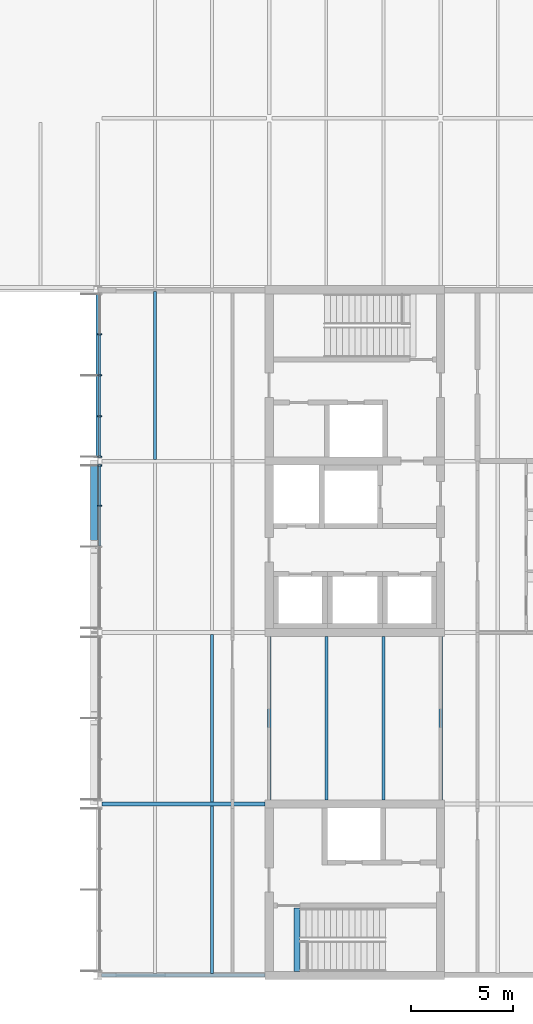
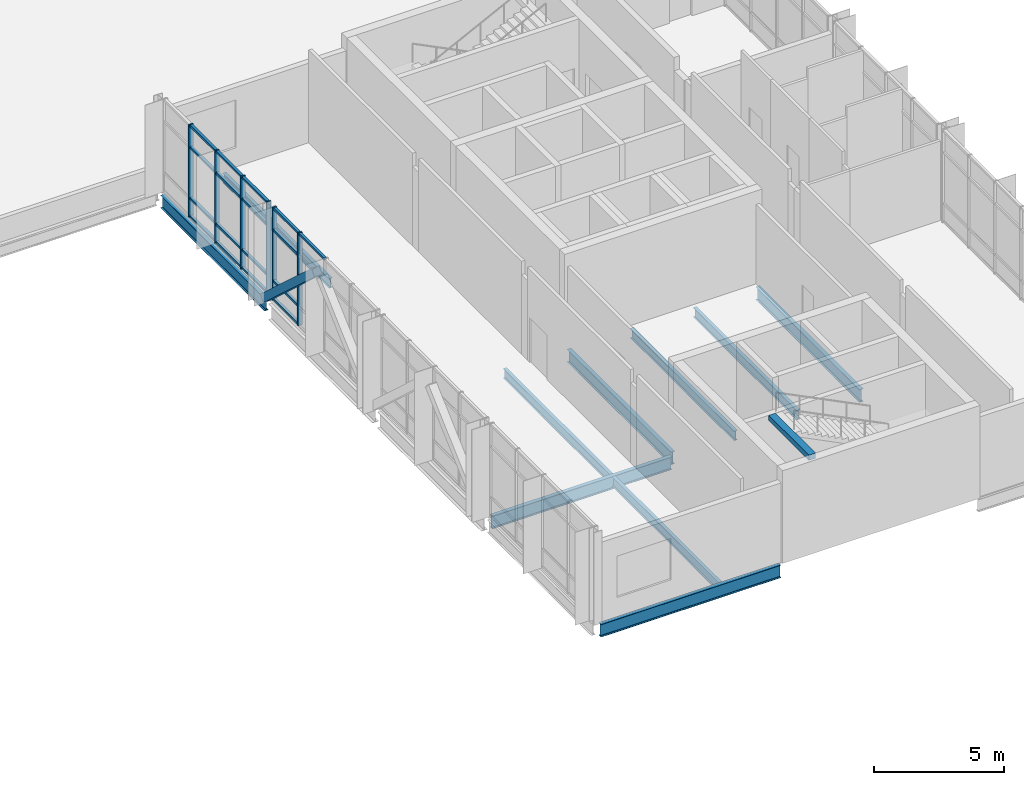
# One storey, part 6 of 26: 24 members, 11 beams, 2 elements without a shape of their own.
"""IFC4 building model written with IfcOpenShell, lengths in metres."""

from ifc_helpers import new_model, si_unit, direction, frame, origin, origin_2d, place, context, subcontext, project, spatial, rectangle, hollow_rectangle, i_section, extrude, material, material_profile, profile_set, type_object, element, aggregate, save


model = new_model("IFC4")

# Units and contexts
model_context = context("Model", 3, precision=1e-05, world=origin(), true_north=direction((0.0, 1.0)))
body_context = subcontext(model_context, "Body", "Model", "MODEL_VIEW")
ifc_project = project(units=[si_unit("LENGTHUNIT", "METRE"), si_unit("AREAUNIT", "SQUARE_METRE"), si_unit("VOLUMEUNIT", "CUBIC_METRE"), si_unit("PLANEANGLEUNIT", "RADIAN"), si_unit("MASSUNIT", "GRAM", prefix="KILO")], contexts=[model_context])

# Site, building, storey
site_placement = place(None, origin())
site = spatial("IfcSite", under=ifc_project, at=site_placement, CompositionType="ELEMENT")
building_placement = place(site_placement, origin())
building = spatial("IfcBuilding", under=site, at=building_placement, Name="Hlaing Beacon Police Headquarters", CompositionType="ELEMENT")
storey_placement = place(building_placement, frame((0.0, 0.0, 23.39990234375)))
storey = spatial("IfcBuildingStorey", under=building, at=storey_placement, Name="L05", CompositionType="ELEMENT", Elevation=23.39990234375)

# Member
ifc_material_1 = material(Name="Steel ASTM A500 Grade C", Category="steel")
ifc_material_profile_1 = material_profile(ifc_material_1, hollow_rectangle(XDim=0.355712890625, YDim=0.355712890625, WallThickness=0.0126953125, at=origin_2d()), Name="HSS14x14x1/2")
ifc_profile_set_1 = profile_set([ifc_material_profile_1], Name="Steel ASTM A500 Grade C")
member_type_1 = type_object("IfcMemberType", Name="Chevron brace HSS14x14x1/2", PredefinedType="BRACE", material=ifc_profile_set_1)
member_1_placement = place(storey_placement, frame((100.6181640625, 58.72900390625, 0.131103515625), z_axis=(0.0, -0.73795116487, 0.674854116286), x_axis=(1.0, 0.0, 0.0)))
element("IfcMember", 1, at=member_1_placement, inside=storey, type_object=member_type_1, Name="STR-BR-L05-N7b", PredefinedType="BRACE", context=body_context, shape_type="SweptSolid", body=[
    extrude(hollow_rectangle(XDim=0.355712890625, YDim=0.355712890625, WallThickness=0.0126953125, at=origin_2d()), origin(), (0.0, 0.0, 1.0), 5.32421875),
])

# Beams
ifc_material_2 = material(Name="Steel ASTM A992 Grade 50", Category="steel")
ifc_material_profile_2 = material_profile(ifc_material_2, i_section(OverallWidth=0.177978515625, OverallDepth=0.599365234375, WebThickness=0.010009765625, FlangeThickness=0.012939453125, FilletRadius=0.012939453125, at=origin_2d()), Name="W24x55")
ifc_profile_set_2 = profile_set([ifc_material_profile_2], Name="Steel ASTM A992 Grade 50")
beam_type_1 = type_object("IfcBeamType", Name="Girder W24x55", PredefinedType="BEAM", material=ifc_profile_set_2)
beam_1_placement = place(storey_placement, frame((100.987060546875, 33.60009765625, -0.4296875), z_axis=(1.0, 0.0, 0.0), x_axis=(0.0, 1.0, 0.0)))
element("IfcBeam", 2, at=beam_1_placement, inside=storey, type_object=beam_type_1, Name="STR-BM-L05-GX-N5-P5", PredefinedType="BEAM", context=body_context, shape_type="SweptSolid", body=[
    extrude(i_section(OverallWidth=0.177978515625, OverallDepth=0.599365234375, WebThickness=0.010009765625, FlangeThickness=0.012939453125, FilletRadius=0.012939453125, at=origin_2d()), origin(), (0.0, 0.0, 1.0), 8.012939453125),
])
beam_2_placement = place(storey_placement, frame((100.9970703125, 42.0, -0.4296875), z_axis=(1.0, 0.0, 0.0), x_axis=(0.0, 1.0, 0.0)))
element("IfcBeam", 3, at=beam_2_placement, inside=storey, type_object=beam_type_1, Name="STR-BM-L05-GX-N6-P6", PredefinedType="BEAM", context=body_context, shape_type="SweptSolid", body=[
    extrude(i_section(OverallWidth=0.177978515625, OverallDepth=0.599365234375, WebThickness=0.010009765625, FlangeThickness=0.012939453125, FilletRadius=0.012939453125, at=origin_2d()), origin(), (0.0, 0.0, 1.0), 8.0029296875),
])
beam_3_placement = place(storey_placement, frame((100.800048828125, 58.988037109375, -0.4296875), z_axis=(0.0, 1.0, 0.0), x_axis=(-1.0, 0.0, 0.0)))
element("IfcBeam", 4, at=beam_3_placement, inside=storey, type_object=beam_type_1, Name="STR-BM-L05-GY-N8-N9", PredefinedType="BEAM", context=body_context, shape_type="SweptSolid", body=[
    extrude(i_section(OverallWidth=0.177978515625, OverallDepth=0.599365234375, WebThickness=0.010009765625, FlangeThickness=0.012939453125, FilletRadius=0.012939453125, at=origin_2d()), origin(), (0.0, 0.0, 1.0), 8.028076171875),
])
for number, where, z_axis, x_axis, name in (
    (5, (109.199951171875, 42.199951171875, -0.4296875), (0.0, 1.0, 0.0), (-1.0, 0.0, 0.0), "STR-BM-L05-GY-P6-P7"),
    (6, (117.60009765625, 42.199951171875, -0.4296875), (0.0, 1.0, 0.0), (-1.0, 0.0, 0.0), "STR-BM-L05-GY-Q6-Q7"),
):
    element("IfcBeam", number, at=place(storey_placement, frame(where, z_axis=z_axis, x_axis=x_axis)), inside=storey, type_object=beam_type_1, Name=name, PredefinedType="BEAM", context=body_context, shape_type="SweptSolid", body=[
        extrude(i_section(OverallWidth=0.177978515625, OverallDepth=0.599365234375, WebThickness=0.010009765625, FlangeThickness=0.012939453125, FilletRadius=0.012939453125, at=origin_2d()), origin(), (0.0, 0.0, 1.0), 8.0),
    ])

# Curtain wall, members
ifc_material_3 = material(Name="Aluminium frame with solar control glazing", Category="aluminium")
curtain_wall_type = type_object("IfcCurtainWallType", Name="Unitised curtain wall 8.03 x 4.37", PredefinedType="NOTDEFINED", material=ifc_material_3)
curtain_wall_1_placement = place(storey_placement, origin())
curtain_wall_1 = element("IfcCurtainWall", 7, at=curtain_wall_1_placement, inside=storey, type_object=curtain_wall_type, Name="ENV-CW-L05-W005", PredefinedType="NOTDEFINED")
ifc_material_4 = material(Name="Aluminium", Category="aluminium")
ifc_material_profile_3 = material_profile(ifc_material_4, rectangle(XDim=0.199951171875, YDim=0.06005859375, at=origin_2d()), Name="Mullion 60x200")
ifc_profile_set_3 = profile_set([ifc_material_profile_3], Name="Aluminium")
member_type_2 = type_object("IfcMemberType", Name="Mullion 60x200", PredefinedType="MULLION", material=ifc_profile_set_3)
member_2_placement = place(storey_placement, frame((100.89990234375, 65.010498046875, 0.0), z_axis=(0.0, 0.0, 1.0), x_axis=(1.0, 0.0, 0.0)))
member_2 = element("IfcMember", 8, at=member_2_placement, type_object=member_type_2, Name="CW-L05-W005 mullion 2", PredefinedType="MULLION", context=body_context, shape_type="SweptSolid", body=[
    extrude(rectangle(XDim=0.199951171875, YDim=0.06005859375, at=origin_2d()), origin(), (0.0, 0.0, 1.0), 4.3701171875),
])
member_3_placement = place(storey_placement, frame((100.89990234375, 63.00244140625, 0.0), z_axis=(0.0, 0.0, 1.0), x_axis=(1.0, 0.0, 0.0)))
member_3 = element("IfcMember", 9, at=member_3_placement, type_object=member_type_2, Name="CW-L05-W005 mullion 3", PredefinedType="MULLION", context=body_context, shape_type="SweptSolid", body=[
    extrude(rectangle(XDim=0.199951171875, YDim=0.06005859375, at=origin_2d()), origin(), (0.0, 0.0, 1.0), 4.3701171875),
])
member_4_placement = place(storey_placement, frame((100.89990234375, 60.99462890625, 0.0), z_axis=(0.0, 0.0, 1.0), x_axis=(1.0, 0.0, 0.0)))
member_4 = element("IfcMember", 10, at=member_4_placement, type_object=member_type_2, Name="CW-L05-W005 mullion 4", PredefinedType="MULLION", context=body_context, shape_type="SweptSolid", body=[
    extrude(rectangle(XDim=0.199951171875, YDim=0.06005859375, at=origin_2d()), origin(), (0.0, 0.0, 1.0), 4.3701171875),
])
member_5_placement = place(storey_placement, frame((100.89990234375, 59.0166015625, 0.0), z_axis=(0.0, 0.0, 1.0), x_axis=(1.0, 0.0, 0.0)))
member_5 = element("IfcMember", 11, at=member_5_placement, type_object=member_type_2, Name="CW-L05-W005 mullion 5", PredefinedType="MULLION", context=body_context, shape_type="SweptSolid", body=[
    extrude(rectangle(XDim=0.199951171875, YDim=0.06005859375, at=origin_2d()), origin(), (0.0, 0.0, 1.0), 4.3701171875),
])

curtain_wall_2_placement = place(storey_placement, origin())
curtain_wall_2 = element("IfcCurtainWall", 12, at=curtain_wall_2_placement, inside=storey, type_object=curtain_wall_type, Name="ENV-CW-L05-W006", PredefinedType="NOTDEFINED")
member_6_placement = place(storey_placement, frame((100.89990234375, 58.583251953125, 0.0), z_axis=(0.0, 0.0, 1.0), x_axis=(1.0, 0.0, 0.0)))
member_6 = element("IfcMember", 13, at=member_6_placement, type_object=member_type_2, Name="CW-L05-W006 mullion 1", PredefinedType="MULLION", context=body_context, shape_type="SweptSolid", body=[
    extrude(rectangle(XDim=0.199951171875, YDim=0.06005859375, at=origin_2d()), origin(), (0.0, 0.0, 1.0), 4.3701171875),
])
member_7_placement = place(storey_placement, frame((100.89990234375, 56.606689453125, 0.0), z_axis=(0.0, 0.0, 1.0), x_axis=(1.0, 0.0, 0.0)))
member_7 = element("IfcMember", 14, at=member_7_placement, type_object=member_type_2, Name="CW-L05-W006 mullion 2", PredefinedType="MULLION", context=body_context, shape_type="SweptSolid", body=[
    extrude(rectangle(XDim=0.199951171875, YDim=0.06005859375, at=origin_2d()), origin(), (0.0, 0.0, 1.0), 4.3701171875),
])

# Beams
ifc_material_5 = material(Name="Steel ASTM A992 Grade 50", Category="steel")
ifc_material_profile_4 = material_profile(ifc_material_5, i_section(OverallWidth=0.15234375, OverallDepth=0.449462890625, WebThickness=0.007568359375, FlangeThickness=0.0107421875, FilletRadius=0.01025390625, at=origin_2d()), Name="W18x35")
ifc_profile_set_4 = profile_set([ifc_material_profile_4], Name="Steel ASTM A992 Grade 50")
beam_type_2 = type_object("IfcBeamType", Name="Secondary beam W18x35", PredefinedType="BEAM", material=ifc_profile_set_4)
for number, where, z_axis, x_axis, name in (
    (15, (106.39990234375, 33.68896484375, -0.354736328125), (0.0, 1.0, 0.0), (-1.0, 0.0, 0.0), "STR-BM-L05-SB-N5-y2"),
    (16, (106.39990234375, 42.089111328125, -0.354736328125), (0.0, 1.0, 0.0), (-1.0, 0.0, 0.0), "STR-BM-L05-SB-N6-y2"),
):
    element("IfcBeam", number, at=place(storey_placement, frame(where, z_axis=z_axis, x_axis=x_axis)), inside=storey, type_object=beam_type_2, Name=name, PredefinedType="BEAM", context=body_context, shape_type="SweptSolid", body=[
        extrude(i_section(OverallWidth=0.15234375, OverallDepth=0.449462890625, WebThickness=0.007568359375, FlangeThickness=0.0107421875, FilletRadius=0.01025390625, at=origin_2d()), origin(), (0.0, 0.0, 1.0), 8.221923828125),
    ])
beam_4_placement = place(storey_placement, frame((103.60009765625, 58.888916015625, -0.354736328125), z_axis=(0.0, 1.0, 0.0), x_axis=(-1.0, 0.0, 0.0)))
element("IfcBeam", 17, at=beam_4_placement, inside=storey, type_object=beam_type_2, Name="STR-BM-L05-SB-N8-y1", PredefinedType="BEAM", context=body_context, shape_type="SweptSolid", body=[
    extrude(i_section(OverallWidth=0.15234375, OverallDepth=0.449462890625, WebThickness=0.007568359375, FlangeThickness=0.0107421875, FilletRadius=0.01025390625, at=origin_2d()), origin(), (0.0, 0.0, 1.0), 8.22216796875),
])
for number, where, z_axis, x_axis, name in (
    (18, (112.0, 42.199951171875, -0.354736328125), (0.0, 1.0, 0.0), (-1.0, 0.0, 0.0), "STR-BM-L05-SB-P6-y1"),
    (19, (114.800048828125, 42.199951171875, -0.354736328125), (0.0, 1.0, 0.0), (-1.0, 0.0, 0.0), "STR-BM-L05-SB-P6-y2"),
):
    element("IfcBeam", number, at=place(storey_placement, frame(where, z_axis=z_axis, x_axis=x_axis)), inside=storey, type_object=beam_type_2, Name=name, PredefinedType="BEAM", context=body_context, shape_type="SweptSolid", body=[
        extrude(i_section(OverallWidth=0.15234375, OverallDepth=0.449462890625, WebThickness=0.007568359375, FlangeThickness=0.0107421875, FilletRadius=0.01025390625, at=origin_2d()), origin(), (0.0, 0.0, 1.0), 8.0),
    ])
ifc_material_6 = material(Name="Concrete C40/50", Category="concrete")
ifc_material_profile_5 = material_profile(ifc_material_6, rectangle(XDim=0.300048828125, YDim=0.25, at=origin_2d()), Name="Stair arrival beam 300x250")
ifc_profile_set_5 = profile_set([ifc_material_profile_5], Name="Concrete C40/50")
beam_type_3 = type_object("IfcBeamType", Name="Stair arrival beam 300x250", PredefinedType="BEAM", material=ifc_profile_set_5)
beam_5_placement = place(storey_placement, frame((110.56005859375, 33.800048828125, 4.2451171875), z_axis=(0.0, 1.0, 0.0), x_axis=(-1.0, 0.0, 0.0)))
element("IfcBeam", 20, at=beam_5_placement, inside=storey, type_object=beam_type_3, Name="Stair arrival beam ST-L", PredefinedType="BEAM", context=body_context, shape_type="SweptSolid", body=[
    extrude(rectangle(XDim=0.300048828125, YDim=0.25, at=origin_2d()), origin(), (0.0, 0.0, 1.0), 3.099853515625),
])

# Member
ifc_material_7 = material(Name="Aluminium", Category="aluminium")
ifc_material_profile_6 = material_profile(ifc_material_7, rectangle(XDim=0.1201171875, YDim=0.10009765625, at=origin_2d()), Name="Transom 120x100")
ifc_profile_set_6 = profile_set([ifc_material_profile_6], Name="Aluminium")
member_type_3 = type_object("IfcMemberType", Name="Transom 120x100", PredefinedType="USERDEFINED", material=ifc_profile_set_6)
member_8_placement = place(storey_placement, frame((100.89990234375, 64.98046875, 0.050048828125), z_axis=(0.0, -1.0, 0.0), x_axis=(1.0, 0.0, 0.0)))
member_8 = element("IfcMember", 21, at=member_8_placement, type_object=member_type_3, Name="CW-L05-W005 transom 2.1", ObjectType="TRANSOM", PredefinedType="USERDEFINED", context=body_context, shape_type="SweptSolid", body=[
    extrude(rectangle(XDim=0.1201171875, YDim=0.10009765625, at=origin_2d()), origin(), (0.0, 0.0, 1.0), 1.947998046875),
])

member_9_placement = place(storey_placement, frame((100.89990234375, 64.98046875, 0.900146484375), z_axis=(0.0, -1.0, 0.0), x_axis=(1.0, 0.0, 0.0)))
member_9 = element("IfcMember", 22, at=member_9_placement, type_object=member_type_3, Name="CW-L05-W005 transom 2.2", ObjectType="TRANSOM", PredefinedType="USERDEFINED", context=body_context, shape_type="SweptSolid", body=[
    extrude(rectangle(XDim=0.1201171875, YDim=0.10009765625, at=origin_2d()), origin(), (0.0, 0.0, 1.0), 1.947998046875),
])

member_10_placement = place(storey_placement, frame((100.89990234375, 64.98046875, 3.300048828125), z_axis=(0.0, -1.0, 0.0), x_axis=(1.0, 0.0, 0.0)))
member_10 = element("IfcMember", 23, at=member_10_placement, type_object=member_type_3, Name="CW-L05-W005 transom 2.3", ObjectType="TRANSOM", PredefinedType="USERDEFINED", context=body_context, shape_type="SweptSolid", body=[
    extrude(rectangle(XDim=0.1201171875, YDim=0.10009765625, at=origin_2d()), origin(), (0.0, 0.0, 1.0), 1.947998046875),
])

member_11_placement = place(storey_placement, frame((100.89990234375, 64.98046875, 4.320068359375), z_axis=(0.0, -1.0, 0.0), x_axis=(1.0, 0.0, 0.0)))
member_11 = element("IfcMember", 24, at=member_11_placement, type_object=member_type_3, Name="CW-L05-W005 transom 2.4", ObjectType="TRANSOM", PredefinedType="USERDEFINED", context=body_context, shape_type="SweptSolid", body=[
    extrude(rectangle(XDim=0.1201171875, YDim=0.10009765625, at=origin_2d()), origin(), (0.0, 0.0, 1.0), 1.947998046875),
])

member_12_placement = place(storey_placement, frame((100.89990234375, 62.97265625, 0.050048828125), z_axis=(0.0, -1.0, 0.0), x_axis=(1.0, 0.0, 0.0)))
member_12 = element("IfcMember", 25, at=member_12_placement, type_object=member_type_3, Name="CW-L05-W005 transom 3.1", ObjectType="TRANSOM", PredefinedType="USERDEFINED", context=body_context, shape_type="SweptSolid", body=[
    extrude(rectangle(XDim=0.1201171875, YDim=0.10009765625, at=origin_2d()), origin(), (0.0, 0.0, 1.0), 1.947998046875),
])

member_13_placement = place(storey_placement, frame((100.89990234375, 62.97265625, 0.900146484375), z_axis=(0.0, -1.0, 0.0), x_axis=(1.0, 0.0, 0.0)))
member_13 = element("IfcMember", 26, at=member_13_placement, type_object=member_type_3, Name="CW-L05-W005 transom 3.2", ObjectType="TRANSOM", PredefinedType="USERDEFINED", context=body_context, shape_type="SweptSolid", body=[
    extrude(rectangle(XDim=0.1201171875, YDim=0.10009765625, at=origin_2d()), origin(), (0.0, 0.0, 1.0), 1.947998046875),
])

member_14_placement = place(storey_placement, frame((100.89990234375, 62.97265625, 3.300048828125), z_axis=(0.0, -1.0, 0.0), x_axis=(1.0, 0.0, 0.0)))
member_14 = element("IfcMember", 27, at=member_14_placement, type_object=member_type_3, Name="CW-L05-W005 transom 3.3", ObjectType="TRANSOM", PredefinedType="USERDEFINED", context=body_context, shape_type="SweptSolid", body=[
    extrude(rectangle(XDim=0.1201171875, YDim=0.10009765625, at=origin_2d()), origin(), (0.0, 0.0, 1.0), 1.947998046875),
])

member_15_placement = place(storey_placement, frame((100.89990234375, 62.97265625, 4.320068359375), z_axis=(0.0, -1.0, 0.0), x_axis=(1.0, 0.0, 0.0)))
member_15 = element("IfcMember", 28, at=member_15_placement, type_object=member_type_3, Name="CW-L05-W005 transom 3.4", ObjectType="TRANSOM", PredefinedType="USERDEFINED", context=body_context, shape_type="SweptSolid", body=[
    extrude(rectangle(XDim=0.1201171875, YDim=0.10009765625, at=origin_2d()), origin(), (0.0, 0.0, 1.0), 1.947998046875),
])

member_16_placement = place(storey_placement, frame((100.89990234375, 60.964599609375, 0.050048828125), z_axis=(0.0, -1.0, 0.0), x_axis=(1.0, 0.0, 0.0)))
member_16 = element("IfcMember", 29, at=member_16_placement, type_object=member_type_3, Name="CW-L05-W005 transom 4.1", ObjectType="TRANSOM", PredefinedType="USERDEFINED", context=body_context, shape_type="SweptSolid", body=[
    extrude(rectangle(XDim=0.1201171875, YDim=0.10009765625, at=origin_2d()), origin(), (0.0, 0.0, 1.0), 1.91796875),
])

member_17_placement = place(storey_placement, frame((100.89990234375, 60.964599609375, 0.900146484375), z_axis=(0.0, -1.0, 0.0), x_axis=(1.0, 0.0, 0.0)))
member_17 = element("IfcMember", 30, at=member_17_placement, type_object=member_type_3, Name="CW-L05-W005 transom 4.2", ObjectType="TRANSOM", PredefinedType="USERDEFINED", context=body_context, shape_type="SweptSolid", body=[
    extrude(rectangle(XDim=0.1201171875, YDim=0.10009765625, at=origin_2d()), origin(), (0.0, 0.0, 1.0), 1.91796875),
])

member_18_placement = place(storey_placement, frame((100.89990234375, 60.964599609375, 3.300048828125), z_axis=(0.0, -1.0, 0.0), x_axis=(1.0, 0.0, 0.0)))
member_18 = element("IfcMember", 31, at=member_18_placement, type_object=member_type_3, Name="CW-L05-W005 transom 4.3", ObjectType="TRANSOM", PredefinedType="USERDEFINED", context=body_context, shape_type="SweptSolid", body=[
    extrude(rectangle(XDim=0.1201171875, YDim=0.10009765625, at=origin_2d()), origin(), (0.0, 0.0, 1.0), 1.91796875),
])

member_19_placement = place(storey_placement, frame((100.89990234375, 60.964599609375, 4.320068359375), z_axis=(0.0, -1.0, 0.0), x_axis=(1.0, 0.0, 0.0)))
member_19 = element("IfcMember", 32, at=member_19_placement, type_object=member_type_3, Name="CW-L05-W005 transom 4.4", ObjectType="TRANSOM", PredefinedType="USERDEFINED", context=body_context, shape_type="SweptSolid", body=[
    extrude(rectangle(XDim=0.1201171875, YDim=0.10009765625, at=origin_2d()), origin(), (0.0, 0.0, 1.0), 1.91796875),
])

aggregate(curtain_wall_1, [member_2, member_3, member_4, member_5, member_8, member_9, member_10, member_11, member_12, member_13, member_14, member_15, member_16, member_17, member_18, member_19])

member_20_placement = place(storey_placement, frame((100.89990234375, 58.55322265625, 0.050048828125), z_axis=(0.0, -1.0, 0.0), x_axis=(1.0, 0.0, 0.0)))
member_20 = element("IfcMember", 33, at=member_20_placement, type_object=member_type_3, Name="CW-L05-W006 transom 1.1", ObjectType="TRANSOM", PredefinedType="USERDEFINED", context=body_context, shape_type="SweptSolid", body=[
    extrude(rectangle(XDim=0.1201171875, YDim=0.10009765625, at=origin_2d()), origin(), (0.0, 0.0, 1.0), 1.91650390625),
])

member_21_placement = place(storey_placement, frame((100.89990234375, 58.55322265625, 0.900146484375), z_axis=(0.0, -1.0, 0.0), x_axis=(1.0, 0.0, 0.0)))
member_21 = element("IfcMember", 34, at=member_21_placement, type_object=member_type_3, Name="CW-L05-W006 transom 1.2", ObjectType="TRANSOM", PredefinedType="USERDEFINED", context=body_context, shape_type="SweptSolid", body=[
    extrude(rectangle(XDim=0.1201171875, YDim=0.10009765625, at=origin_2d()), origin(), (0.0, 0.0, 1.0), 1.91650390625),
])

member_22_placement = place(storey_placement, frame((100.89990234375, 58.55322265625, 3.300048828125), z_axis=(0.0, -1.0, 0.0), x_axis=(1.0, 0.0, 0.0)))
member_22 = element("IfcMember", 35, at=member_22_placement, type_object=member_type_3, Name="CW-L05-W006 transom 1.3", ObjectType="TRANSOM", PredefinedType="USERDEFINED", context=body_context, shape_type="SweptSolid", body=[
    extrude(rectangle(XDim=0.1201171875, YDim=0.10009765625, at=origin_2d()), origin(), (0.0, 0.0, 1.0), 1.91650390625),
])

member_23_placement = place(storey_placement, frame((100.89990234375, 58.55322265625, 4.320068359375), z_axis=(0.0, -1.0, 0.0), x_axis=(1.0, 0.0, 0.0)))
member_23 = element("IfcMember", 36, at=member_23_placement, type_object=member_type_3, Name="CW-L05-W006 transom 1.4", ObjectType="TRANSOM", PredefinedType="USERDEFINED", context=body_context, shape_type="SweptSolid", body=[
    extrude(rectangle(XDim=0.1201171875, YDim=0.10009765625, at=origin_2d()), origin(), (0.0, 0.0, 1.0), 1.91650390625),
])

member_24_placement = place(storey_placement, frame((100.89990234375, 56.57666015625, 4.320068359375), z_axis=(0.0, -1.0, 0.0), x_axis=(1.0, 0.0, 0.0)))
member_24 = element("IfcMember", 37, at=member_24_placement, type_object=member_type_3, Name="CW-L05-W006 transom 2.4", ObjectType="TRANSOM", PredefinedType="USERDEFINED", context=body_context, shape_type="SweptSolid", body=[
    extrude(rectangle(XDim=0.1201171875, YDim=0.10009765625, at=origin_2d()), origin(), (0.0, 0.0, 1.0), 1.94677734375),
])

aggregate(curtain_wall_2, [member_6, member_7, member_20, member_21, member_22, member_23, member_24])

save(model, "model.ifc")
